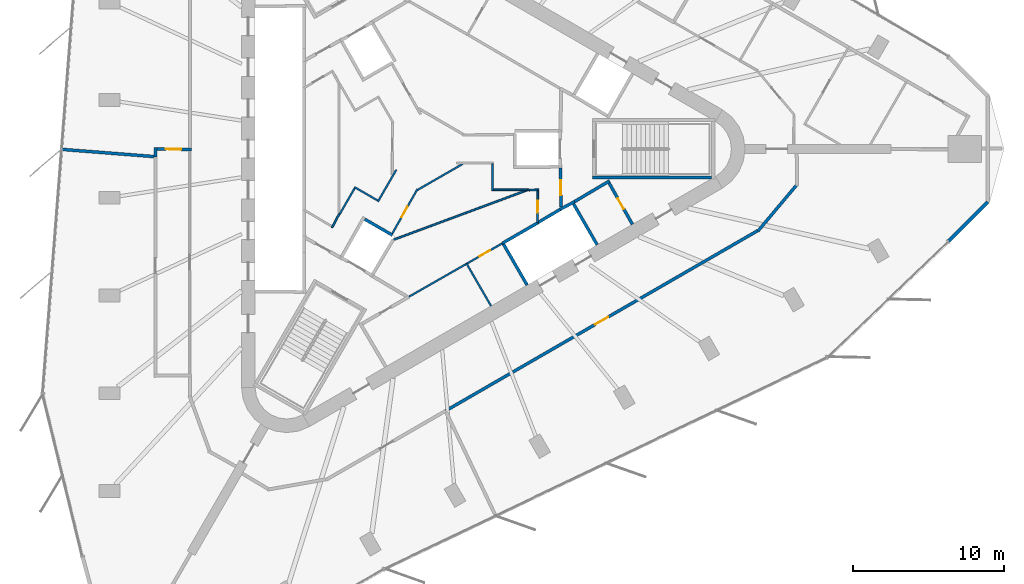
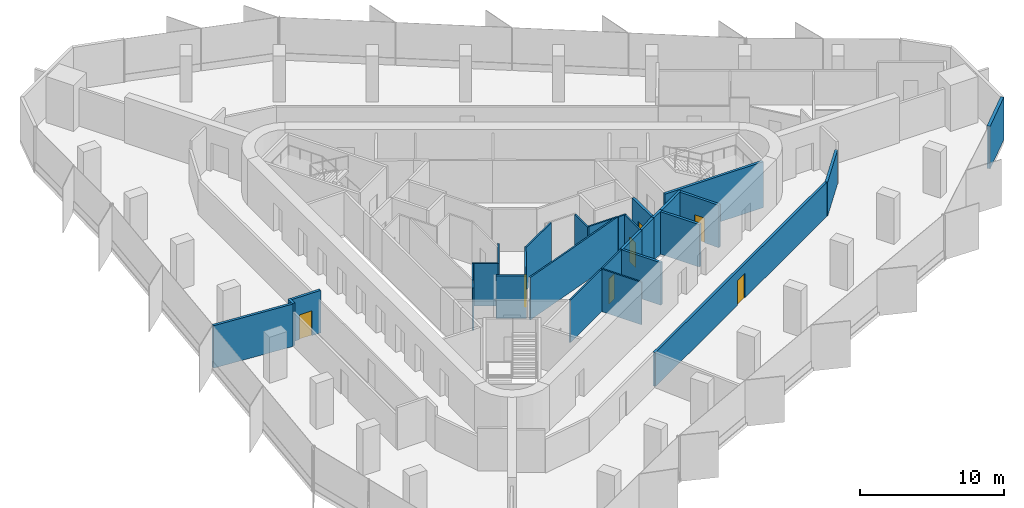
# One storey, part 9 of 14: 29 walls, 7 doors, 7 openings.
"""IFC4 building model written with IfcOpenShell, lengths in metres."""

from ifc_helpers import new_model, si_unit, direction, frame, frame_2d, origin, place, context, subcontext, project, spatial, rectangle, extrude, material, layer, layer_set, type_object, element, fill, save


model = new_model("IFC4")

# Units and contexts
model_context = context("Model", 3, precision=1e-05, world=origin(), true_north=direction((0.0, 1.0)))
body_context = subcontext(model_context, "Body", "Model", "MODEL_VIEW")
ifc_project = project(units=[si_unit("LENGTHUNIT", "METRE"), si_unit("AREAUNIT", "SQUARE_METRE"), si_unit("VOLUMEUNIT", "CUBIC_METRE"), si_unit("PLANEANGLEUNIT", "RADIAN"), si_unit("MASSUNIT", "GRAM", prefix="KILO")], contexts=[model_context])

# Site, building, storey
site_placement = place(None, origin())
site = spatial("IfcSite", under=ifc_project, at=site_placement, CompositionType="ELEMENT")
building_placement = place(site_placement, origin())
building = spatial("IfcBuilding", under=site, at=building_placement, Name="Tanit Gate Tower", CompositionType="ELEMENT")
storey_placement = place(building_placement, frame((0.0, 0.0, 302.60009765625)))
storey = spatial("IfcBuildingStorey", under=building, at=storey_placement, Name="L67", CompositionType="ELEMENT", Elevation=302.60009765625)

# Walls
ifc_material_1 = material(Name="Concrete C30/37 with bronze anodised aluminium cladding", Category="concrete")
ifc_layer_1 = layer(ifc_material_1, 0.239990234375)
ifc_layer_set_1 = layer_set([ifc_layer_1], Name="Facade wall bronze clad 240")
wall_type_1 = type_object("IfcWallType", Name="Facade wall bronze clad 240", PredefinedType="SOLIDWALL", material=ifc_layer_set_1)
wall_1_placement = place(storey_placement, frame((34.6767578125, -6.097900390625, 0.0), z_axis=(0.0, 0.0, 1.0), x_axis=(0.707106781187, 0.707106781187, 0.0)))
element("IfcWall", 1, at=wall_1_placement, inside=storey, type_object=wall_type_1, Name="Bronze-clad facade wall L67 E.arc1", PredefinedType="SOLIDWALL", context=body_context, shape_type="SweptSolid", body=[
    extrude(rectangle(XDim=3.66259765625, YDim=0.239990234375, at=frame_2d((1.831298828125, 0.0))), origin(), (0.0, 0.0, 1.0), 3.599853515625),
])
ifc_material_2 = material(Name="Fire-rated gypsum board partition")
ifc_layer_2 = layer(ifc_material_2, 0.199951171875)
ifc_layer_set_2 = layer_set([ifc_layer_2], Name="INT-WALL-COMPARTMENT")
wall_type_2 = type_object("IfcWallType", Name="INT-WALL-COMPARTMENT", PredefinedType="PARTITIONING", material=ifc_layer_set_2)
wall_2_placement = place(storey_placement, frame((12.244873046875, -2.10888671875, 0.0), z_axis=(0.0, 0.0, 1.0), x_axis=(-0.860414880418, -0.509594185166, 0.0)))
element("IfcWall", 2, at=wall_2_placement, inside=storey, type_object=wall_type_2, Name="Wall Compartment W057", PredefinedType="PARTITIONING", context=body_context, shape_type="SweptSolid", body=[
    extrude(rectangle(XDim=2.7001953125, YDim=0.199951171875, at=frame_2d((1.35009765625, 0.0))), origin(), (0.0, 0.0, 1.0), 3.599853515625),
])

# Wall, opening, door
wall_3_placement = place(storey_placement, frame((13.758056640625, -4.989501953125, 0.0), z_axis=(0.0, 0.0, 1.0), x_axis=(-0.491993409184, 0.87059892334, 0.0)))
wall_3 = element("IfcWall", 3, at=wall_3_placement, inside=storey, type_object=wall_type_2, Name="Wall Compartment W058", PredefinedType="PARTITIONING", context=body_context, shape_type="SweptSolid", body=[
    extrude(rectangle(XDim=3.150146484375, YDim=0.199951171875, at=frame_2d((1.5751953125, 0.0))), origin(), (0.0, 0.0, 1.0), 3.599853515625),
])
opening_1_placement = place(wall_3_placement, frame((1.175048828125, 0.0, 0.0)))
opening_1 = element("IfcOpeningElement", 4, at=opening_1_placement, cuts=wall_3, Name="Opening R08-S18-20", PredefinedType="OPENING", context=body_context, shape_type="SweptSolid", body=[
    extrude(rectangle(XDim=0.800048828125, YDim=2.10009765625, at=frame_2d((0.39990234375, 1.050048828125))), frame((0.0, 0.10986328125, 0.0), z_axis=(0.0, -1.0, 0.0), x_axis=(1.0, 0.0, 0.0)), (0.0, 0.0, 1.0), 0.219970703125),
])
ifc_material_3 = material(Name="Timber door leaf", Category="wood")
door_type_1 = type_object("IfcDoorType", Name="INT-DOOR-RISER-800", OperationType="NOTDEFINED", PredefinedType="USERDEFINED", material=ifc_material_3)
door_1_placement = place(opening_1_placement, origin())
door_1 = element("IfcDoor", 5, at=door_1_placement, inside=storey, type_object=door_type_1, Name="Door R08-S18-20", ObjectType="FIRE DOOR", OperationType="SINGLE_SWING_RIGHT", OverallHeight=2.10009765625, OverallWidth=0.800048828125, PredefinedType="USERDEFINED", context=body_context, shape_type="SweptSolid", body=[
    extrude(rectangle(XDim=0.800048828125, YDim=2.10009765625, at=frame_2d((0.39990234375, 1.050048828125))), frame((0.0, 0.02490234375, 0.0), z_axis=(0.0, -1.0, 0.0), x_axis=(1.0, 0.0, 0.0)), (0.0, 0.0, 1.0), 0.050048828125),
])
fill(opening_1, door_1)

wall_4_placement = place(storey_placement, frame((9.02880859375, -3.850830078125, 0.0), z_axis=(0.0, 0.0, 1.0), x_axis=(-0.010783593937, 0.99994185536, 0.0)))
wall_4 = element("IfcWall", 6, at=wall_4_placement, inside=storey, type_object=wall_type_2, Name="Wall Compartment W060", PredefinedType="PARTITIONING", context=body_context, shape_type="SweptSolid", body=[
    extrude(rectangle(XDim=2.5810546875, YDim=0.199951171875, at=frame_2d((1.29052734375, 0.0))), origin(), (0.0, 0.0, 1.0), 3.599853515625),
])
opening_2_placement = place(wall_4_placement, frame((0.79052734375, 0.0, 0.0)))
opening_2 = element("IfcOpeningElement", 7, at=opening_2_placement, cuts=wall_4, Name="Opening F10-S18-02", PredefinedType="OPENING", context=body_context, shape_type="SweptSolid", body=[
    extrude(rectangle(XDim=1.0, YDim=2.10009765625, at=frame_2d((0.5, 1.050048828125))), frame((0.0, 0.10986328125, 0.0), z_axis=(0.0, -1.0, 0.0), x_axis=(1.0, 0.0, 0.0)), (0.0, 0.0, 1.0), 0.219970703125),
])
ifc_material_4 = material(Name="Fire-rated steel door leaf", Category="steel")
door_type_2 = type_object("IfcDoorType", Name="INT-DOOR-FIRE-1000", OperationType="NOTDEFINED", PredefinedType="USERDEFINED", material=ifc_material_4)
door_2_placement = place(opening_2_placement, origin())
door_2 = element("IfcDoor", 8, at=door_2_placement, inside=storey, type_object=door_type_2, Name="Door F10-S18-02", ObjectType="FIRE DOOR", OperationType="SINGLE_SWING_RIGHT", OverallHeight=2.10009765625, OverallWidth=1.0, PredefinedType="USERDEFINED", context=body_context, shape_type="SweptSolid", body=[
    extrude(rectangle(XDim=1.0, YDim=2.10009765625, at=frame_2d((0.5, 1.050048828125))), frame((0.0, 0.02490234375, 0.0), z_axis=(0.0, -1.0, 0.0), x_axis=(1.0, 0.0, 0.0)), (0.0, 0.0, 1.0), 0.050048828125),
])
fill(opening_2, door_2)

# Wall
wall_5_placement = place(storey_placement, frame((-17.800048828125, 0.10009765625, 0.0), z_axis=(0.0, 0.0, 1.0), x_axis=(0.0, -1.0, 0.0)))
element("IfcWall", 9, at=wall_5_placement, inside=storey, type_object=wall_type_2, Name="Wall Compartment W091", PredefinedType="PARTITIONING", context=body_context, shape_type="SweptSolid", body=[
    extrude(rectangle(XDim=0.635009765625, YDim=0.199951171875, at=frame_2d((0.3173828125, 0.0))), origin(), (0.0, 0.0, 1.0), 3.599853515625),
])

# Wall, opening, door
wall_6_placement = place(storey_placement, frame((-15.39990234375, -0.03125, 0.0), z_axis=(0.0, 0.0, 1.0), x_axis=(-0.999914782125, 0.013054826261, 0.0)))
wall_6 = element("IfcWall", 10, at=wall_6_placement, inside=storey, type_object=wall_type_2, Name="Wall Compartment W092", PredefinedType="PARTITIONING", context=body_context, shape_type="SweptSolid", body=[
    extrude(rectangle(XDim=2.30029296875, YDim=0.199951171875, at=frame_2d((1.150146484375, 0.0))), origin(), (0.0, 0.0, 1.0), 3.599853515625),
])
opening_3_placement = place(wall_6_placement, frame((0.7001953125, 0.0, 0.0)))
opening_3 = element("IfcOpeningElement", 11, at=opening_3_placement, cuts=wall_6, Name="Opening F10-S18-27", PredefinedType="OPENING", context=body_context, shape_type="SweptSolid", body=[
    extrude(rectangle(XDim=1.0, YDim=2.10009765625, at=frame_2d((0.5, 1.050048828125))), frame((0.0, 0.10986328125, 0.0), z_axis=(0.0, -1.0, 0.0), x_axis=(1.0, 0.0, 0.0)), (0.0, 0.0, 1.0), 0.219970703125),
])
door_3_placement = place(opening_3_placement, origin())
door_3 = element("IfcDoor", 12, at=door_3_placement, inside=storey, type_object=door_type_2, Name="Door F10-S18-27", ObjectType="FIRE DOOR", OperationType="SINGLE_SWING_RIGHT", OverallHeight=2.10009765625, OverallWidth=1.0, PredefinedType="USERDEFINED", context=body_context, shape_type="SweptSolid", body=[
    extrude(rectangle(XDim=1.0, YDim=2.10009765625, at=frame_2d((0.5, 1.050048828125))), frame((0.0, 0.02490234375, 0.0), z_axis=(0.0, -1.0, 0.0), x_axis=(1.0, 0.0, 0.0)), (0.0, 0.0, 1.0), 0.050048828125),
])
fill(opening_3, door_3)

# Wall
wall_7_placement = place(storey_placement, frame((22.05419921875, -5.435302734375, 0.0), z_axis=(0.0, 0.0, 1.0), x_axis=(0.642790979996, 0.766041615081, 0.0)))
element("IfcWall", 13, at=wall_7_placement, inside=storey, type_object=wall_type_2, Name="Wall Compartment W107", PredefinedType="PARTITIONING", context=body_context, shape_type="SweptSolid", body=[
    extrude(rectangle(XDim=3.9833984375, YDim=0.199951171875, at=frame_2d((1.99169921875, 0.0))), origin(), (0.0, 0.0, 1.0), 2.8798828125),
])

# Wall, opening, door
wall_8_placement = place(storey_placement, frame((1.415283203125, -17.311767578125, 0.0), z_axis=(0.0, 0.0, 1.0), x_axis=(0.866022488339, 0.500005049665, 0.0)))
wall_8 = element("IfcWall", 14, at=wall_8_placement, inside=storey, type_object=wall_type_2, Name="Wall Compartment W108", PredefinedType="PARTITIONING", context=body_context, shape_type="SweptSolid", body=[
    extrude(rectangle(XDim=23.805908203125, YDim=0.199951171875, at=frame_2d((11.90283203125, 0.0))), origin(), (0.0, 0.0, 1.0), 2.8798828125),
])
opening_4_placement = place(wall_8_placement, frame((11.40283203125, 0.0, 0.0)))
opening_4 = element("IfcOpeningElement", 15, at=opening_4_placement, cuts=wall_8, Name="Opening F10-S18-29", PredefinedType="OPENING", context=body_context, shape_type="SweptSolid", body=[
    extrude(rectangle(XDim=1.0, YDim=2.10009765625, at=frame_2d((0.5, 1.050048828125))), frame((0.0, 0.10986328125, 0.0), z_axis=(0.0, -1.0, 0.0), x_axis=(1.0, 0.0, 0.0)), (0.0, 0.0, 1.0), 0.219970703125),
])
door_4_placement = place(opening_4_placement, origin())
door_4 = element("IfcDoor", 16, at=door_4_placement, inside=storey, type_object=door_type_2, Name="Door F10-S18-29", ObjectType="FIRE DOOR", OperationType="SINGLE_SWING_RIGHT", OverallHeight=2.10009765625, OverallWidth=1.0, PredefinedType="USERDEFINED", context=body_context, shape_type="SweptSolid", body=[
    extrude(rectangle(XDim=1.0, YDim=2.10009765625, at=frame_2d((0.5, 1.050048828125))), frame((0.0, 0.02490234375, 0.0), z_axis=(0.0, -1.0, 0.0), x_axis=(1.0, 0.0, 0.0)), (0.0, 0.0, 1.0), 0.050048828125),
])
fill(opening_4, door_4)

# Walls
wall_9_placement = place(storey_placement, frame((-23.9921875, -0.027587890625, 0.0), z_axis=(0.0, 0.0, 1.0), x_axis=(0.996966889937, -0.077826861489, 0.0)))
element("IfcWall", 17, at=wall_9_placement, inside=storey, type_object=wall_type_2, Name="Wall Compartment W112", PredefinedType="PARTITIONING", context=body_context, shape_type="SweptSolid", body=[
    extrude(rectangle(XDim=6.11083984375, YDim=0.199951171875, at=frame_2d((3.055419921875, 0.0))), origin(), (0.0, 0.0, 1.0), 3.599853515625),
])
ifc_material_5 = material(Name="Gypsum board partition")
ifc_layer_3 = layer(ifc_material_5, 0.1201171875)
ifc_layer_set_3 = layer_set([ifc_layer_3], Name="INT-WALL-PARTITION")
wall_type_3 = type_object("IfcWallType", Name="INT-WALL-PARTITION", PredefinedType="PARTITIONING", material=ifc_layer_set_3)
wall_10_placement = place(storey_placement, frame((4.40478515625, -10.389404296875, 0.0), z_axis=(0.0, 0.0, 1.0), x_axis=(-0.500017246033, 0.866015446554, 0.0)))
element("IfcWall", 18, at=wall_10_placement, inside=storey, type_object=wall_type_3, Name="Wall Partition W052", PredefinedType="PARTITIONING", context=body_context, shape_type="SweptSolid", body=[
    extrude(rectangle(XDim=3.25, YDim=0.1201171875, at=frame_2d((1.625, 0.0))), origin(), (0.0, 0.0, 1.0), 3.599853515625),
])

# Wall, opening, door
wall_11_placement = place(storey_placement, frame((-1.02392578125, -9.771240234375, 0.0), z_axis=(0.0, 0.0, 1.0), x_axis=(0.868110220015, 0.496371479746, 0.0)))
wall_11 = element("IfcWall", 19, at=wall_11_placement, inside=storey, type_object=wall_type_3, Name="Wall Partition W055", PredefinedType="PARTITIONING", context=body_context, shape_type="SweptSolid", body=[
    extrude(rectangle(XDim=7.12255859375, YDim=0.1201171875, at=frame_2d((3.561279296875, 0.0))), origin(), (0.0, 0.0, 1.0), 3.599853515625),
])
opening_5_placement = place(wall_11_placement, frame((5.37255859375, 0.0, 0.0)))
opening_5 = element("IfcOpeningElement", 20, at=opening_5_placement, cuts=wall_11, Name="Opening R08-S18-19", PredefinedType="OPENING", context=body_context, shape_type="SweptSolid", body=[
    extrude(rectangle(XDim=0.800048828125, YDim=2.10009765625, at=frame_2d((0.39990234375, 1.050048828125))), frame((0.0, 0.070068359375, 0.0), z_axis=(0.0, -1.0, 0.0), x_axis=(1.0, 0.0, 0.0)), (0.0, 0.0, 1.0), 0.14013671875),
])
door_5_placement = place(opening_5_placement, origin())
door_5 = element("IfcDoor", 21, at=door_5_placement, inside=storey, type_object=door_type_1, Name="Door R08-S18-19", ObjectType="FIRE DOOR", OperationType="SINGLE_SWING_RIGHT", OverallHeight=2.10009765625, OverallWidth=0.800048828125, PredefinedType="USERDEFINED", context=body_context, shape_type="SweptSolid", body=[
    extrude(rectangle(XDim=0.800048828125, YDim=2.10009765625, at=frame_2d((0.39990234375, 1.050048828125))), frame((0.0, 0.02490234375, 0.0), z_axis=(0.0, -1.0, 0.0), x_axis=(1.0, 0.0, 0.0)), (0.0, 0.0, 1.0), 0.050048828125),
])
fill(opening_5, door_5)

# Wall
wall_12_placement = place(storey_placement, frame((6.9052734375, -2.67919921875, 0.0), z_axis=(0.0, 0.0, 1.0), x_axis=(-0.937260745886, -0.348629164331, 0.0)))
element("IfcWall", 22, at=wall_12_placement, inside=storey, type_object=wall_type_3, Name="Wall Partition W068", PredefinedType="PARTITIONING", context=body_context, shape_type="SweptSolid", body=[
    extrude(rectangle(XDim=9.540771484375, YDim=0.1201171875, at=frame_2d((4.7705078125, 0.0))), origin(), (0.0, 0.0, 1.0), 3.599853515625),
])

# Wall, opening, door
wall_13_placement = place(storey_placement, frame((-0.4658203125, -2.655029296875, 0.0), z_axis=(0.0, 0.0, 1.0), x_axis=(-0.49235580986, -0.870394023703, 0.0)))
wall_13 = element("IfcWall", 23, at=wall_13_placement, inside=storey, type_object=wall_type_3, Name="Wall Partition W069", PredefinedType="PARTITIONING", context=body_context, shape_type="SweptSolid", body=[
    extrude(rectangle(XDim=3.367919921875, YDim=0.1201171875, at=frame_2d((1.68408203125, 0.0))), origin(), (0.0, 0.0, 1.0), 3.599853515625),
])
opening_6_placement = place(wall_13_placement, frame((1.334716796875, 0.0, 0.0)))
opening_6 = element("IfcOpeningElement", 24, at=opening_6_placement, cuts=wall_13, Name="Opening R08-S18-11", PredefinedType="OPENING", context=body_context, shape_type="SweptSolid", body=[
    extrude(rectangle(XDim=0.800048828125, YDim=2.10009765625, at=frame_2d((0.39990234375, 1.050048828125))), frame((0.0, 0.070068359375, 0.0), z_axis=(0.0, -1.0, 0.0), x_axis=(1.0, 0.0, 0.0)), (0.0, 0.0, 1.0), 0.14013671875),
])
door_6_placement = place(opening_6_placement, origin())
door_6 = element("IfcDoor", 25, at=door_6_placement, inside=storey, type_object=door_type_1, Name="Door R08-S18-11", ObjectType="FIRE DOOR", OperationType="SINGLE_SWING_RIGHT", OverallHeight=2.10009765625, OverallWidth=0.800048828125, PredefinedType="USERDEFINED", context=body_context, shape_type="SweptSolid", body=[
    extrude(rectangle(XDim=0.800048828125, YDim=2.10009765625, at=frame_2d((0.39990234375, 1.050048828125))), frame((0.0, 0.02490234375, 0.0), z_axis=(0.0, -1.0, 0.0), x_axis=(1.0, 0.0, 0.0)), (0.0, 0.0, 1.0), 0.050048828125),
])
fill(opening_6, door_6)

# Walls
wall_14_placement = place(storey_placement, frame((2.53857421875, -0.985107421875, 0.0), z_axis=(0.0, 0.0, 1.0), x_axis=(-0.866657135765, -0.498904208268, 0.0)))
element("IfcWall", 26, at=wall_14_placement, inside=storey, type_object=wall_type_3, Name="Wall Partition W070", PredefinedType="PARTITIONING", context=body_context, shape_type="SweptSolid", body=[
    extrude(rectangle(XDim=3.505126953125, YDim=0.1201171875, at=frame_2d((1.75244140625, 0.0))), origin(), (0.0, 0.0, 1.0), 3.599853515625),
])
wall_15_placement = place(storey_placement, frame((4.5, -2.760009765625, 0.0), z_axis=(0.0, 0.0, 1.0), x_axis=(0.0, 1.0, 0.0)))
element("IfcWall", 27, at=wall_15_placement, inside=storey, type_object=wall_type_3, Name="Wall Partition W072", PredefinedType="PARTITIONING", context=body_context, shape_type="SweptSolid", body=[
    extrude(rectangle(XDim=1.77490234375, YDim=0.1201171875, at=frame_2d((0.887451171875, 0.0))), origin(), (0.0, 0.0, 1.0), 3.599853515625),
])
wall_16_placement = place(storey_placement, frame((6.7890625, -2.699951171875, 0.0), z_axis=(0.0, 0.0, 1.0), x_axis=(-1.0, 0.0, 0.0)))
element("IfcWall", 28, at=wall_16_placement, inside=storey, type_object=wall_type_3, Name="Wall Partition W073", PredefinedType="PARTITIONING", context=body_context, shape_type="SweptSolid", body=[
    extrude(rectangle(XDim=2.22900390625, YDim=0.1201171875, at=frame_2d((1.114501953125, 0.0))), origin(), (0.0, 0.0, 1.0), 3.599853515625),
])
wall_17_placement = place(storey_placement, frame((7.563232421875, -2.697509765625, 0.0), z_axis=(0.0, 0.0, 1.0), x_axis=(-0.999184595054, -0.040375054253, 0.0)))
element("IfcWall", 29, at=wall_17_placement, inside=storey, type_object=wall_type_3, Name="Wall Partition W074", PredefinedType="PARTITIONING", context=body_context, shape_type="SweptSolid", body=[
    extrude(rectangle(XDim=0.622802734375, YDim=0.1201171875, at=frame_2d((0.3115234375, 0.0))), origin(), (0.0, 0.0, 1.0), 3.599853515625),
])

# Wall, opening, door
wall_18_placement = place(storey_placement, frame((7.474609375, -4.864501953125, 0.0), z_axis=(0.0, 0.0, 1.0), x_axis=(0.011716133148, 0.999931363757, 0.0)))
wall_18 = element("IfcWall", 30, at=wall_18_placement, inside=storey, type_object=wall_type_3, Name="Wall Partition W075", PredefinedType="PARTITIONING", context=body_context, shape_type="SweptSolid", body=[
    extrude(rectangle(XDim=2.104736328125, YDim=0.1201171875, at=frame_2d((1.05224609375, 0.0))), origin(), (0.0, 0.0, 1.0), 3.599853515625),
])
opening_7_placement = place(wall_18_placement, frame((0.65234375, 0.0, 0.0)))
opening_7 = element("IfcOpeningElement", 31, at=opening_7_placement, cuts=wall_18, Name="Opening R08-S18-12", PredefinedType="OPENING", context=body_context, shape_type="SweptSolid", body=[
    extrude(rectangle(XDim=0.800048828125, YDim=2.10009765625, at=frame_2d((0.39990234375, 1.050048828125))), frame((0.0, 0.070068359375, 0.0), z_axis=(0.0, -1.0, 0.0), x_axis=(1.0, 0.0, 0.0)), (0.0, 0.0, 1.0), 0.14013671875),
])
door_7_placement = place(opening_7_placement, origin())
door_7 = element("IfcDoor", 32, at=door_7_placement, inside=storey, type_object=door_type_1, Name="Door R08-S18-12", ObjectType="FIRE DOOR", OperationType="SINGLE_SWING_RIGHT", OverallHeight=2.10009765625, OverallWidth=0.800048828125, PredefinedType="USERDEFINED", context=body_context, shape_type="SweptSolid", body=[
    extrude(rectangle(XDim=0.800048828125, YDim=2.10009765625, at=frame_2d((0.39990234375, 1.050048828125))), frame((0.0, 0.02490234375, 0.0), z_axis=(0.0, -1.0, 0.0), x_axis=(1.0, 0.0, 0.0)), (0.0, 0.0, 1.0), 0.050048828125),
])
fill(opening_7, door_7)

# Walls
wall_19_placement = place(storey_placement, frame((-6.11669921875, -5.197998046875, 0.0), z_axis=(0.0, 0.0, 1.0), x_axis=(0.473067931341, 0.881025954406, 0.0)))
element("IfcWall", 33, at=wall_19_placement, inside=storey, type_object=wall_type_3, Name="Wall Partition W077", PredefinedType="PARTITIONING", context=body_context, shape_type="SweptSolid", body=[
    extrude(rectangle(XDim=1.01611328125, YDim=0.1201171875, at=frame_2d((0.508056640625, 0.0))), origin(), (0.0, 0.0, 1.0), 3.599853515625),
])
wall_20_placement = place(storey_placement, frame((-3.0810546875, -3.486572265625, 0.0), z_axis=(0.0, 0.0, 1.0), x_axis=(0.499962263673, 0.866047189767, 0.0)))
element("IfcWall", 34, at=wall_20_placement, inside=storey, type_object=wall_type_3, Name="Wall Partition W085", PredefinedType="PARTITIONING", context=body_context, shape_type="SweptSolid", body=[
    extrude(rectangle(XDim=2.438232421875, YDim=0.1201171875, at=frame_2d((1.21923828125, 0.0))), origin(), (0.0, 0.0, 1.0), 3.599853515625),
])
wall_21_placement = place(storey_placement, frame((-4.64013671875, -2.51708984375, 0.0), z_axis=(0.0, 0.0, 1.0), x_axis=(0.866025242659, -0.500000279077, 0.0)))
element("IfcWall", 35, at=wall_21_placement, inside=storey, type_object=wall_type_3, Name="Wall Partition W086", PredefinedType="PARTITIONING", context=body_context, shape_type="SweptSolid", body=[
    extrude(rectangle(XDim=1.77490234375, YDim=0.1201171875, at=frame_2d((0.887451171875, 0.0))), origin(), (0.0, 0.0, 1.0), 3.599853515625),
])
wall_22_placement = place(storey_placement, frame((-5.635986328125, -4.361572265625, 0.0), z_axis=(0.0, 0.0, 1.0), x_axis=(0.500099717341, 0.865967824295, 0.0)))
element("IfcWall", 36, at=wall_22_placement, inside=storey, type_object=wall_type_3, Name="Wall Partition W087", PredefinedType="PARTITIONING", context=body_context, shape_type="SweptSolid", body=[
    extrude(rectangle(XDim=2.03515625, YDim=0.1201171875, at=frame_2d((1.017578125, 0.0))), origin(), (0.0, 0.0, 1.0), 3.599853515625),
])
ifc_material_6 = material(Name="Gypsum shaft wall system")
ifc_layer_4 = layer(ifc_material_6, 0.199951171875)
ifc_layer_set_4 = layer_set([ifc_layer_4], Name="INT-WALL-SHAFT")
wall_type_4 = type_object("IfcWallType", Name="INT-WALL-SHAFT", PredefinedType="PLUMBINGWALL", material=ifc_layer_set_4)
wall_23_placement = place(storey_placement, frame((6.795166015625, -9.009521484375, 0.0), z_axis=(0.0, 0.0, 1.0), x_axis=(-0.499984717929, 0.866034226713, 0.0)))
element("IfcWall", 37, at=wall_23_placement, inside=storey, type_object=wall_type_4, Name="Wall Shaft W015", PredefinedType="PLUMBINGWALL", context=body_context, shape_type="SweptSolid", body=[
    extrude(rectangle(XDim=3.25, YDim=0.199951171875, at=frame_2d((1.625, 0.0))), origin(), (0.0, 0.0, 1.0), 3.599853515625),
])
wall_24_placement = place(storey_placement, frame((5.1591796875, -6.23583984375, 0.0), z_axis=(0.0, 0.0, 1.0), x_axis=(0.866036505625, 0.499980770555, 0.0)))
element("IfcWall", 38, at=wall_24_placement, inside=storey, type_object=wall_type_4, Name="Wall Shaft W016", PredefinedType="PLUMBINGWALL", context=body_context, shape_type="SweptSolid", body=[
    extrude(rectangle(XDim=2.69970703125, YDim=0.199951171875, at=frame_2d((1.349853515625, 0.0))), origin(), (0.0, 0.0, 1.0), 3.599853515625),
])
wall_25_placement = place(storey_placement, frame((9.794677734375, -3.52490234375, 0.0), z_axis=(0.0, 0.0, 1.0), x_axis=(0.499984717929, -0.866034226713, 0.0)))
element("IfcWall", 39, at=wall_25_placement, inside=storey, type_object=wall_type_4, Name="Wall Shaft W017", PredefinedType="PLUMBINGWALL", context=body_context, shape_type="SweptSolid", body=[
    extrude(rectangle(XDim=3.25, YDim=0.199951171875, at=frame_2d((1.625, 0.0))), origin(), (0.0, 0.0, 1.0), 3.599853515625),
])
wall_26_placement = place(storey_placement, frame((8.97412109375, -3.998779296875, 0.0), z_axis=(0.0, 0.0, 1.0), x_axis=(0.880907015104, 0.473289373154, 0.0)))
element("IfcWall", 40, at=wall_26_placement, inside=storey, type_object=wall_type_4, Name="Wall Shaft W018", PredefinedType="PLUMBINGWALL", context=body_context, shape_type="SweptSolid", body=[
    extrude(rectangle(XDim=1.078125, YDim=0.199951171875, at=frame_2d((0.5390625, 0.0))), origin(), (0.0, 0.0, 1.0), 3.599853515625),
])
wall_27_placement = place(storey_placement, frame((7.4931640625, -4.87841796875, 0.0), z_axis=(0.0, 0.0, 1.0), x_axis=(0.859981807212, 0.510324691999, 0.0)))
element("IfcWall", 41, at=wall_27_placement, inside=storey, type_object=wall_type_4, Name="Wall Shaft W019", PredefinedType="PLUMBINGWALL", context=body_context, shape_type="SweptSolid", body=[
    extrude(rectangle(XDim=1.8447265625, YDim=0.199951171875, at=frame_2d((0.92236328125, 0.0))), origin(), (0.0, 0.0, 1.0), 3.599853515625),
])
wall_28_placement = place(storey_placement, frame((-3.95263671875, -4.646240234375, 0.0), z_axis=(0.0, 0.0, 1.0), x_axis=(0.866060616833, -0.499939004251, 0.0)))
element("IfcWall", 42, at=wall_28_placement, inside=storey, type_object=wall_type_4, Name="Wall Shaft W043", PredefinedType="PLUMBINGWALL", context=body_context, shape_type="SweptSolid", body=[
    extrude(rectangle(XDim=2.114501953125, YDim=0.199951171875, at=frame_2d((1.05712890625, 0.0))), origin(), (0.0, 0.0, 1.0), 3.599853515625),
])
ifc_material_7 = material(Name="Concrete C40/50", Category="concrete")
ifc_layer_5 = layer(ifc_material_7, 0.199951171875)
ifc_layer_set_5 = layer_set([ifc_layer_5], Name="INT-WALL-STAIR")
wall_type_5 = type_object("IfcWallType", Name="INT-WALL-STAIR", PredefinedType="SHEAR", material=ifc_layer_set_5)
wall_29_placement = place(storey_placement, frame((11.10009765625, -1.89990234375, -0.300048828125), z_axis=(0.0, 0.0, 1.0), x_axis=(1.0, 0.0, 0.0)))
element("IfcWall", 43, at=wall_29_placement, inside=storey, type_object=wall_type_5, Name="Wall Stair W022", PredefinedType="SHEAR", context=body_context, shape_type="SweptSolid", body=[
    extrude(rectangle(XDim=7.89990234375, YDim=0.199951171875, at=frame_2d((3.949951171875, 0.0))), origin(), (0.0, 0.0, 1.0), 3.89990234375),
])

save(model, "model.ifc")
